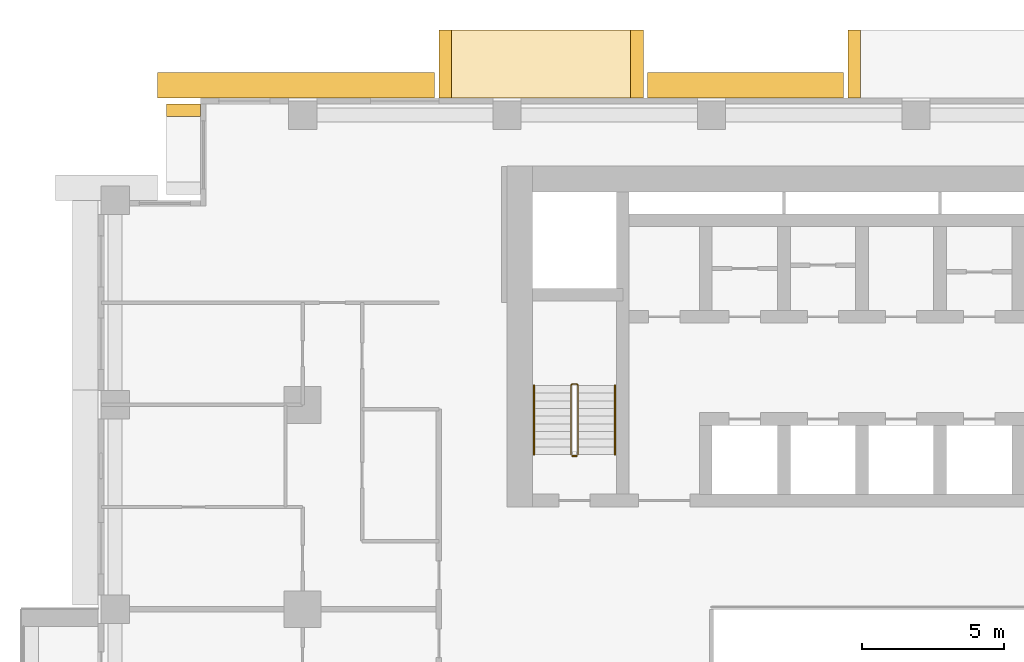
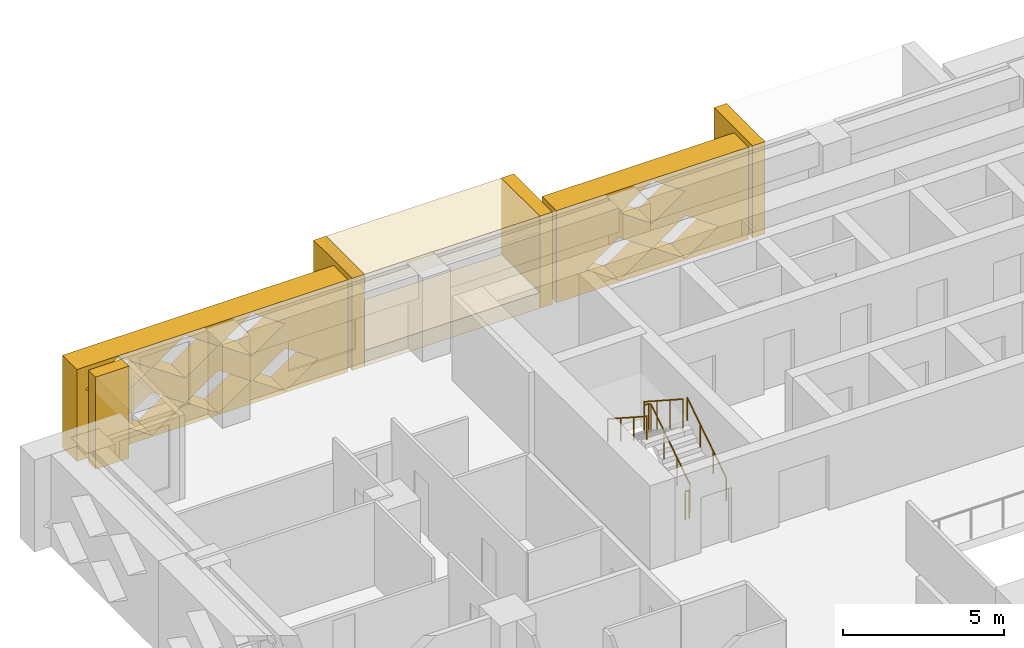
# One storey, part 14 of 16: 8 coverings, 4 railings.
"""IFC4 building model written with IfcOpenShell, lengths in metres."""

from ifc_helpers import new_model, si_unit, direction, frame, origin, origin_2d, place, context, subcontext, project, spatial, polyline, circle, outline, extrude, material, type_object, element, save


model = new_model("IFC4")

# Units and contexts
model_context = context("Model", 3, precision=1e-05, world=origin(), true_north=direction((0.0, 1.0)))
body_context = subcontext(model_context, "Body", "Model", "MODEL_VIEW")
ifc_project = project(units=[si_unit("LENGTHUNIT", "METRE"), si_unit("AREAUNIT", "SQUARE_METRE"), si_unit("VOLUMEUNIT", "CUBIC_METRE"), si_unit("PLANEANGLEUNIT", "RADIAN"), si_unit("MASSUNIT", "GRAM", prefix="KILO")], contexts=[model_context])

# Site, building, storey
site_placement = place(None, origin())
site = spatial("IfcSite", under=ifc_project, at=site_placement, CompositionType="ELEMENT")
building_placement = place(site_placement, origin())
building = spatial("IfcBuilding", under=site, at=building_placement, Name="Saffron Iwan Residences", CompositionType="ELEMENT")
storey_placement = place(building_placement, frame((0.0, 0.0, 90.0)))
storey = spatial("IfcBuildingStorey", under=building, at=storey_placement, Name="L23", CompositionType="ELEMENT", Elevation=90.0)

# Coverings
ifc_material_1 = material(Name="Precast concrete C40/50", Category="concrete")
covering_type_1 = type_object("IfcCoveringType", Name="OUTER SKIN LATTICE SCREEN", PredefinedType="CLADDING", material=ifc_material_1)
covering_1_placement = place(storey_placement, frame((40.64990234375, 80.39990234375, -0.320068359375), z_axis=(0.0, 1.0, 0.0), x_axis=(-1.0, 0.0, 0.0)))
element("IfcCovering", 1, at=covering_1_placement, inside=storey, type_object=covering_type_1, Name="OUTER SKIN lattice screen L23 F5.3", PredefinedType="CLADDING", context=body_context, shape_type="SweptSolid", body=[
    extrude(outline(polyline([(0.0, 0.0), (6.89990234375, 0.0), (6.89990234375, 3.5), (0.0, 3.5), (0.0, 0.0)]), holes=[polyline([(1.070068359375, 0.875), (2.25, 0.06005859375), (3.429931640625, 0.875), (2.25, 1.68994140625), (1.070068359375, 0.875)]), polyline([(3.469970703125, 0.875), (4.64990234375, 0.06005859375), (5.830078125, 0.875), (4.64990234375, 1.68994140625), (3.469970703125, 0.875)]), polyline([(2.27001953125, 2.625), (3.449951171875, 1.81005859375), (4.6298828125, 2.625), (3.449951171875, 3.43994140625), (2.27001953125, 2.625)])]), origin(), (0.0, 0.0, 1.0), 0.900146484375),
])
covering_2_placement = place(storey_placement, frame((26.25, 80.39990234375, -0.320068359375), z_axis=(0.0, 1.0, 0.0), x_axis=(-1.0, 0.0, 0.0)))
element("IfcCovering", 2, at=covering_2_placement, inside=storey, type_object=covering_type_1, Name="OUTER SKIN lattice screen L23 F5.4", PredefinedType="CLADDING", context=body_context, shape_type="SweptSolid", body=[
    extrude(outline(polyline([(0.0, 0.0), (9.75, 0.0), (9.75, 3.5), (0.0, 3.5), (0.0, 0.0)]), holes=[polyline([(1.070068359375, 0.875), (2.25, 0.06005859375), (3.429931640625, 0.875), (2.25, 1.68994140625), (1.070068359375, 0.875)]), polyline([(3.469970703125, 0.875), (4.64990234375, 0.06005859375), (5.830078125, 0.875), (4.64990234375, 1.68994140625), (3.469970703125, 0.875)]), polyline([(5.8701171875, 0.875), (7.050048828125, 0.06005859375), (8.22998046875, 0.875), (7.050048828125, 1.68994140625), (5.8701171875, 0.875)]), polyline([(2.27001953125, 2.625), (3.449951171875, 1.81005859375), (4.6298828125, 2.625), (3.449951171875, 3.43994140625), (2.27001953125, 2.625)]), polyline([(4.669921875, 2.625), (5.85009765625, 1.81005859375), (7.030029296875, 2.625), (5.85009765625, 3.43994140625), (4.669921875, 2.625)]), polyline([(7.070068359375, 2.625), (8.25, 1.81005859375), (9.429931640625, 2.625), (8.25, 3.43994140625), (7.070068359375, 2.625)])]), origin(), (0.0, 0.0, 1.0), 0.900146484375),
])

# Railings
ifc_material_2 = material(Name="Steel S355", Category="steel")
railing_type_1 = type_object("IfcRailingType", Name="Stair guard 1100", PredefinedType="GUARDRAIL", material=ifc_material_2)
railing_1_placement = place(storey_placement, frame((31.300048828125, 67.85009765625, 0.175048828125)))
element("IfcRailing", 3, at=railing_1_placement, inside=storey, type_object=railing_type_1, Name="L23 ST-W stair guard 1", PredefinedType="GUARDRAIL", context=body_context, shape_type="SweptSolid", body=[
    extrude(circle(Radius=0.02392578125, at=origin_2d()), frame((0.0, 0.0, 1.076171875), z_axis=(0.0, 0.839153699163, 0.543894354798), x_axis=(-1.0, 0.0, 0.0)), (0.0, 0.0, 1.0), 2.895751953125),
    extrude(circle(Radius=0.02392578125, at=origin_2d()), frame((0.0, 2.429931640625, 2.65087890625), z_axis=(-0.707106781187, 0.707106781187, 0.0), x_axis=(-0.707106781187, -0.707106781187, 0.0)), (0.0, 0.0, 1.0), 0.07080078125),
    extrude(circle(Radius=0.02392578125, at=origin_2d()), frame((-0.050048828125, 2.47998046875, 2.65087890625), z_axis=(-1.0, 0.0, 0.0), x_axis=(0.0, -1.0, 0.0)), (0.0, 0.0, 1.0), 0.14990234375),
    extrude(circle(Radius=0.02392578125, at=origin_2d()), frame((-0.199951171875, 2.47998046875, 2.65087890625), z_axis=(-0.265065253269, -0.265065253269, 0.927081885822), x_axis=(0.707106781187, -0.707106781187, 0.0)), (0.0, 0.0, 1.0), 0.188720703125),
    extrude(circle(Radius=0.02392578125, at=origin_2d()), frame((-0.25, 2.429931640625, 2.826171875), z_axis=(0.0, -0.839153699163, 0.543894354798), x_axis=(1.0, 0.0, 0.0)), (0.0, 0.0, 1.0), 2.895751953125),
    extrude(circle(Radius=0.02099609375, at=origin_2d()), origin(), (0.0, 0.0, 1.0), 1.052001953125),
    extrude(circle(Radius=0.02099609375, at=origin_2d()), frame((0.0, 0.81005859375, 0.52490234375)), (0.0, 0.0, 1.0), 1.052001953125),
    extrude(circle(Radius=0.02099609375, at=origin_2d()), frame((0.0, 1.619873046875, 1.050048828125)), (0.0, 0.0, 1.0), 1.052001953125),
    extrude(circle(Radius=0.02099609375, at=origin_2d()), frame((0.0, 2.429931640625, 1.574951171875)), (0.0, 0.0, 1.0), 1.052001953125),
    extrude(circle(Radius=0.02099609375, at=origin_2d()), frame((-0.050048828125, 2.47998046875, 1.574951171875)), (0.0, 0.0, 1.0), 1.052001953125),
    extrude(circle(Radius=0.02099609375, at=origin_2d()), frame((-0.199951171875, 2.47998046875, 1.574951171875)), (0.0, 0.0, 1.0), 1.052001953125),
    extrude(circle(Radius=0.02099609375, at=origin_2d()), frame((-0.25, 2.429931640625, 1.75)), (0.0, 0.0, 1.0), 1.052001953125),
    extrude(circle(Radius=0.02099609375, at=origin_2d()), frame((-0.25, 1.619873046875, 2.27490234375)), (0.0, 0.0, 1.0), 1.052001953125),
    extrude(circle(Radius=0.02099609375, at=origin_2d()), frame((-0.25, 0.81005859375, 2.800048828125)), (0.0, 0.0, 1.0), 1.052001953125),
    extrude(circle(Radius=0.02099609375, at=origin_2d()), frame((-0.25, 0.0, 3.324951171875)), (0.0, 0.0, 1.0), 1.052001953125),
])
railing_2_placement = place(storey_placement, frame((31.25, 67.800048828125, 0.0)))
element("IfcRailing", 4, at=railing_2_placement, inside=storey, type_object=railing_type_1, Name="L23 ST-W stair guard 2", PredefinedType="GUARDRAIL", context=body_context, shape_type="SweptSolid", body=[
    extrude(circle(Radius=0.02392578125, at=origin_2d()), frame((0.0, 0.0, 1.076171875), z_axis=(-1.0, 0.0, 0.0), x_axis=(0.0, -1.0, 0.0)), (0.0, 0.0, 1.0), 0.14990234375),
    extrude(circle(Radius=0.02099609375, at=origin_2d()), origin(), (0.0, 0.0, 1.0), 1.052001953125),
    extrude(circle(Radius=0.02099609375, at=origin_2d()), frame((-0.14990234375, 0.0, 0.0)), (0.0, 0.0, 1.0), 1.052001953125),
])
ifc_material_3 = material(Name="Stainless steel 316", Category="steel")
railing_type_2 = type_object("IfcRailingType", Name="Stair handrail 900", PredefinedType="HANDRAIL", material=ifc_material_3)
railing_3_placement = place(storey_placement, frame((32.60009765625, 67.85009765625, 0.175048828125)))
element("IfcRailing", 5, at=railing_3_placement, inside=storey, type_object=railing_type_2, Name="L23 ST-W stair handrail 1", PredefinedType="HANDRAIL", context=body_context, shape_type="SweptSolid", body=[
    extrude(circle(Radius=0.02392578125, at=origin_2d()), frame((0.0, 0.0, 0.8759765625), z_axis=(0.0, 0.839153699163, 0.543894354798), x_axis=(-1.0, 0.0, 0.0)), (0.0, 0.0, 1.0), 2.895751953125),
    extrude(circle(Radius=0.02099609375, at=origin_2d()), origin(), (0.0, 0.0, 1.0), 0.851806640625),
    extrude(circle(Radius=0.02099609375, at=origin_2d()), frame((0.0, 0.81005859375, 0.52490234375)), (0.0, 0.0, 1.0), 0.851806640625),
    extrude(circle(Radius=0.02099609375, at=origin_2d()), frame((0.0, 1.619873046875, 1.050048828125)), (0.0, 0.0, 1.0), 0.851806640625),
    extrude(circle(Radius=0.02099609375, at=origin_2d()), frame((0.0, 2.429931640625, 1.574951171875)), (0.0, 0.0, 1.0), 0.851806640625),
])
railing_4_placement = place(storey_placement, frame((29.75, 70.280029296875, 1.925048828125)))
element("IfcRailing", 6, at=railing_4_placement, inside=storey, type_object=railing_type_2, Name="L23 ST-W stair handrail 2", PredefinedType="HANDRAIL", context=body_context, shape_type="SweptSolid", body=[
    extrude(circle(Radius=0.02392578125, at=origin_2d()), frame((0.0, 0.0, 0.8759765625), z_axis=(0.0, -0.839153699163, 0.543894354798), x_axis=(1.0, 0.0, 0.0)), (0.0, 0.0, 1.0), 2.895751953125),
    extrude(circle(Radius=0.02099609375, at=origin_2d()), origin(), (0.0, 0.0, 1.0), 0.851806640625),
    extrude(circle(Radius=0.02099609375, at=origin_2d()), frame((0.0, -0.81005859375, 0.52490234375)), (0.0, 0.0, 1.0), 0.851806640625),
    extrude(circle(Radius=0.02099609375, at=origin_2d()), frame((0.0, -1.619873046875, 1.050048828125)), (0.0, 0.0, 1.0), 0.851806640625),
    extrude(circle(Radius=0.02099609375, at=origin_2d()), frame((0.0, -2.429931640625, 1.574951171875)), (0.0, 0.0, 1.0), 0.851806640625),
])

# Coverings
ifc_material_4 = material(Name="Precast concrete C40/50 white painted", Category="concrete")
covering_type_2 = type_object("IfcCoveringType", Name="WHITE SUN FRAME PRECAST", PredefinedType="CLADDING", material=ifc_material_4)
for number, where, z_axis, x_axis, name in (
    (7, (41.25, 80.39990234375, -0.320068359375), (0.0, 1.0, 0.0), (-1.0, 0.0, 0.0), "Sun frame L23 F5 34.8b"),
    (8, (33.60009765625, 80.39990234375, -0.320068359375), (0.0, 1.0, 0.0), (-1.0, 0.0, 0.0), "Sun frame L23 F5 49.2a"),
    (9, (26.85009765625, 80.39990234375, -0.320068359375), (0.0, 1.0, 0.0), (-1.0, 0.0, 0.0), "Sun frame L23 F5 49.2b"),
):
    element("IfcCovering", number, at=place(storey_placement, frame(where, z_axis=z_axis, x_axis=x_axis)), inside=storey, type_object=covering_type_2, Name=name, PredefinedType="CLADDING", context=body_context, shape_type="SweptSolid", body=[
        extrude(outline(polyline([(0.0, 0.0), (0.449951171875, 0.0), (0.449951171875, 3.5), (0.0, 3.5), (0.0, 0.0)])), origin(), (0.0, 0.0, 1.0), 2.400146484375),
    ])
for number, where, z_axis, x_axis, name in (
    (10, (33.14990234375, 80.39990234375, 2.580078125), (0.0, 1.0, 0.0), (-1.0, 0.0, 0.0), "Sun frame L23 F5 49.2h"),
    (11, (33.14990234375, 80.39990234375, -0.320068359375), (0.0, 1.0, 0.0), (-1.0, 0.0, 0.0), "Sun frame L23 F5 49.2s"),
):
    element("IfcCovering", number, at=place(storey_placement, frame(where, z_axis=z_axis, x_axis=x_axis)), inside=storey, type_object=covering_type_2, Name=name, PredefinedType="CLADDING", context=body_context, shape_type="SweptSolid", body=[
        extrude(outline(polyline([(0.0, 0.0), (6.300048828125, 0.0), (6.300048828125, 0.60009765625), (0.0, 0.60009765625), (0.0, 0.0)])), origin(), (0.0, 0.0, 1.0), 2.400146484375),
    ])
covering_3_placement = place(storey_placement, frame((18.0, 80.199951171875, -0.320068359375), z_axis=(-1.0, 0.0, 0.0), x_axis=(0.0, -1.0, 0.0)))
element("IfcCovering", 12, at=covering_3_placement, inside=storey, type_object=covering_type_2, Name="Sun frame L23 F6 0.2a", PredefinedType="CLADDING", context=body_context, shape_type="SweptSolid", body=[
    extrude(outline(polyline([(0.0, 0.0), (0.449951171875, 0.0), (0.449951171875, 3.5), (0.0, 3.5), (0.0, 0.0)])), origin(), (0.0, 0.0, 1.0), 1.199951171875),
])

save(model, "model.ifc")
